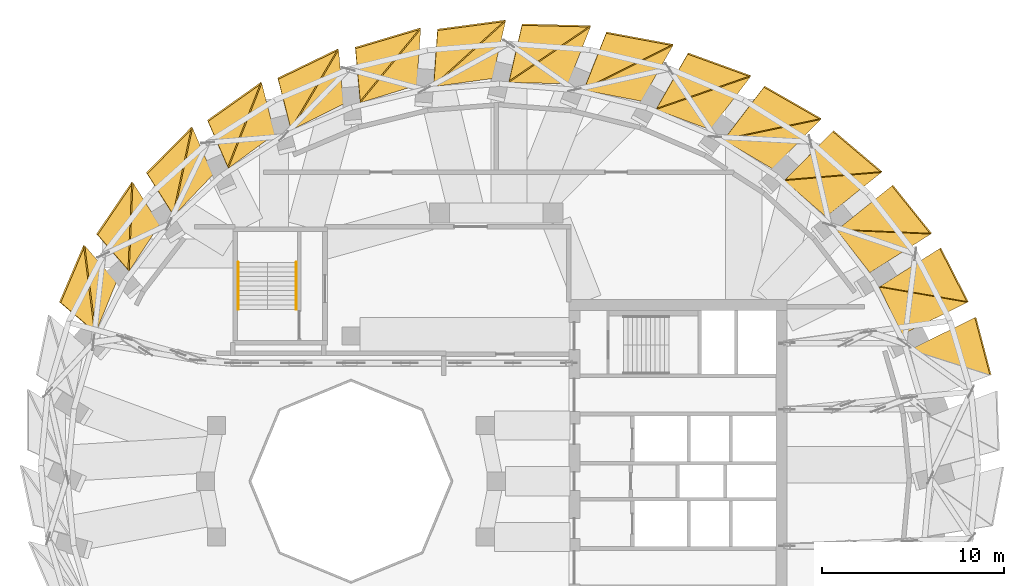
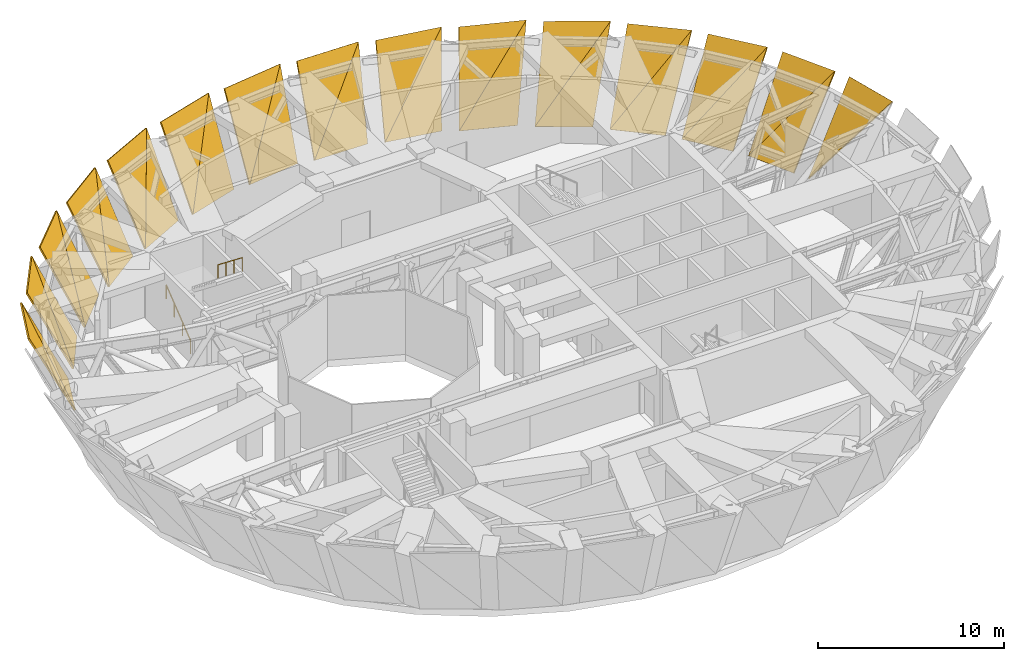
# One storey, part 16 of 16: 29 shading devices, 2 railings.
"""IFC4 building model written with IfcOpenShell, lengths in metres."""

from ifc_helpers import new_model, si_unit, direction, frame, origin, origin_2d, place, context, subcontext, project, spatial, polyline, circle, outline, extrude, material, layer, layer_set, type_object, element, save


model = new_model("IFC4")

# Units and contexts
model_context = context("Model", 3, precision=1e-05, world=origin(), true_north=direction((0.0, 1.0)))
body_context = subcontext(model_context, "Body", "Model", "MODEL_VIEW")
ifc_project = project(units=[si_unit("LENGTHUNIT", "METRE"), si_unit("AREAUNIT", "SQUARE_METRE"), si_unit("VOLUMEUNIT", "CUBIC_METRE"), si_unit("PLANEANGLEUNIT", "RADIAN"), si_unit("MASSUNIT", "GRAM", prefix="KILO")], contexts=[model_context])

# Site, building, storey
site_placement = place(None, origin())
site = spatial("IfcSite", under=ifc_project, at=site_placement, CompositionType="ELEMENT")
building_placement = place(site_placement, origin())
building = spatial("IfcBuilding", under=site, at=building_placement, Name="Taillehof Tower", CompositionType="ELEMENT")
storey_placement = place(building_placement, frame((0.0, 0.0, 184.699951171875)))
storey = spatial("IfcBuildingStorey", under=building, at=storey_placement, Name="L52", CompositionType="ELEMENT", Elevation=184.699951171875)

# Shading devices
ifc_material_1 = material(Name="Aluminium louvre blades", Category="aluminium")
ifc_layer = layer(ifc_material_1, 0.10009765625)
ifc_layer_set = layer_set([ifc_layer], Name="Louvre panel 100")
shading_device_type = type_object("IfcShadingDeviceType", Name="Louvre panel 100", PredefinedType="USERDEFINED", material=ifc_layer_set)
shading_device_1_placement = place(storey_placement, frame((22.770751953125, 7.23779296875, 0.066650390625), z_axis=(-0.720656050161, -0.18967551882, 0.666841851511), x_axis=(0.604303059445, 0.299588471186, 0.738284877454)))
element("IfcShadingDevice", 1, at=shading_device_1_placement, inside=storey, type_object=shading_device_type, Name="Louvre panel L52 bay 2b", ObjectType="LOUVER", PredefinedType="USERDEFINED", context=body_context, shape_type="SweptSolid", body=[
    extrude(outline(polyline([(0.0, 0.0), (5.905724951198721, -2.7755575615628914e-16), (5.459890934770543, -3.2499662436969516), (0.0, 0.0)])), origin(), (0.0, 0.0, -1.0), 0.10009765625),
])
shading_device_2_placement = place(storey_placement, frame((22.354736328125, 8.0751953125, 0.0673828125), z_axis=(-0.662069319877, -0.326674464978, 0.674498339219), x_axis=(-0.442482626673, 0.896777076587, 0.0)))
element("IfcShadingDevice", 2, at=shading_device_2_placement, inside=storey, type_object=shading_device_type, Name="Louvre panel L52 bay 3a", ObjectType="LOUVER", PredefinedType="USERDEFINED", context=body_context, shape_type="SweptSolid", body=[
    extrude(outline(polyline([(0.0, 0.0), (2.914353476307231, 2.220446049250313e-16), (0.007721976171706949, -5.905793049169701), (0.0, 0.0)])), origin(), (0.0, 0.0, -1.0), 0.10009765625),
])
shading_device_3_placement = place(storey_placement, frame((21.0654296875, 10.687744140625, 0.067138671875), z_axis=(-0.660635790907, -0.336894901435, 0.670866735768), x_axis=(0.567787329064, 0.360373594156, 0.740100278063)))
element("IfcShadingDevice", 3, at=shading_device_3_placement, inside=storey, type_object=shading_device_type, Name="Louvre panel L52 bay 3b", ObjectType="LOUVER", PredefinedType="USERDEFINED", context=body_context, shape_type="SweptSolid", body=[
    extrude(outline(polyline([(0.0, 0.0), (5.891238729545874, 3.3306690738754696e-16), (5.681073983979242, -3.3242046517350077), (0.0, 0.0)])), origin(), (0.0, 0.0, -1.0), 0.10009765625),
])
shading_device_4_placement = place(storey_placement, frame((20.56396484375, 11.47802734375, 0.067138671875), z_axis=(-0.585154211951, -0.455688842557, 0.67077733042), x_axis=(-0.614418440991, 0.788980341561, 0.0)))
element("IfcShadingDevice", 4, at=shading_device_4_placement, inside=storey, type_object=shading_device_type, Name="Louvre panel L52 bay 4a", ObjectType="LOUVER", PredefinedType="USERDEFINED", context=body_context, shape_type="SweptSolid", body=[
    extrude(outline(polyline([(0.0, 0.0), (2.970606333944633, 1.1102230246251565e-16), (-0.38036205813975493, -5.878858893429207), (0.0, 0.0)])), origin(), (0.0, 0.0, -1.0), 0.10009765625),
])
shading_device_5_placement = place(storey_placement, frame((18.739013671875, 13.82080078125, 0.066650390625), z_axis=(-0.58170744973, -0.466787103994, 0.666127797403), x_axis=(0.519526289751, 0.416915671269, 0.745837621275)))
element("IfcShadingDevice", 5, at=shading_device_5_placement, inside=storey, type_object=shading_device_type, Name="Louvre panel L52 bay 4b", ObjectType="LOUVER", PredefinedType="USERDEFINED", context=body_context, shape_type="SweptSolid", body=[
    extrude(outline(polyline([(0.0, 0.0), (5.845920475858367, -3.1795583960853024e-16), (5.845852937962732, -3.4082216009691635), (0.0, 0.0)])), origin(), (0.0, 0.0, -1.0), 0.10009765625),
])
shading_device_6_placement = place(storey_placement, frame((18.1533203125, 14.5517578125, 0.066162109375), z_axis=(-0.492747400714, -0.566906910325, 0.660164035763), x_axis=(-0.754747323053, 0.656015608308, 0.0)))
element("IfcShadingDevice", 6, at=shading_device_6_placement, inside=storey, type_object=shading_device_type, Name="Louvre panel L52 bay 5a", ObjectType="LOUVER", PredefinedType="USERDEFINED", context=body_context, shape_type="SweptSolid", body=[
    extrude(outline(polyline([(0.0, 0.0), (3.0390318743969464, 1.1102230246251565e-16), (-0.6933722854113863, -5.804471740372767), (0.0, 0.0)])), origin(), (0.0, 0.0, -1.0), 0.10009765625),
])
shading_device_7_placement = place(storey_placement, frame((15.860107421875, 16.54443359375, 0.0654296875), z_axis=(-0.487632377658, -0.577304018133, 0.654931091724), x_axis=(0.459980660213, 0.467714623905, 0.754758784523)))
element("IfcShadingDevice", 7, at=shading_device_7_placement, inside=storey, type_object=shading_device_type, Name="Louvre panel L52 bay 5b", ObjectType="LOUVER", PredefinedType="USERDEFINED", context=body_context, shape_type="SweptSolid", body=[
    extrude(outline(polyline([(0.0, 0.0), (5.776822358720805, -7.494005416219807e-16), (5.950378984422951, -3.4954043883041273), (0.0, 0.0)])), origin(), (0.0, 0.0, -1.0), 0.10009765625),
])
shading_device_8_placement = place(storey_placement, frame((15.19287109375, 17.202392578125, 0.064453125), z_axis=(-0.387583570481, -0.659018123016, 0.644572796067), x_axis=(-0.861976596189, 0.506948071919, 0.0)))
element("IfcShadingDevice", 8, at=shading_device_8_placement, inside=storey, type_object=shading_device_type, Name="Louvre panel L52 bay 6a", ObjectType="LOUVER", PredefinedType="USERDEFINED", context=body_context, shape_type="SweptSolid", body=[
    extrude(outline(polyline([(0.0, 0.0), (3.109620300278377, 0.0), (-0.9205314903332179, -5.702894083289527), (0.0, 0.0)])), origin(), (0.0, 0.0, -1.0), 0.10009765625),
])
shading_device_9_placement = place(storey_placement, frame((12.512939453125, 18.778076171875, 0.06396484375), z_axis=(-0.381671547984, -0.667350402424, 0.639507834075), x_axis=(0.389976988736, 0.511019120523, 0.766013972925)))
element("IfcShadingDevice", 9, at=shading_device_9_placement, inside=storey, type_object=shading_device_type, Name="Louvre panel L52 bay 6b", ObjectType="LOUVER", PredefinedType="USERDEFINED", context=body_context, shape_type="SweptSolid", body=[
    extrude(outline(polyline([(0.0, 0.0), (5.691942413565876, 4.996003610813204e-16), (5.9966085431660545, -3.5788848226380816), (0.0, 0.0)])), origin(), (0.0, 0.0, -1.0), 0.10009765625),
])
shading_device_10_placement = place(storey_placement, frame((11.768798828125, 19.34814453125, 0.062744140625), z_axis=(-0.27208986511, -0.730772779942, 0.626049717994), x_axis=(-0.937148726804, 0.348930170448, 0.0)))
element("IfcShadingDevice", 10, at=shading_device_10_placement, inside=storey, type_object=shading_device_type, Name="Louvre panel L52 bay 7a", ObjectType="LOUVER", PredefinedType="USERDEFINED", context=body_context, shape_type="SweptSolid", body=[
    extrude(outline(polyline([(0.0, 0.0), (3.1730639197898958, 0.0), (-1.0650549376611147, -5.591122761016827), (0.0, 0.0)])), origin(), (0.0, 0.0, -1.0), 0.10009765625),
])
shading_device_11_placement = place(storey_placement, frame((8.795654296875, 20.454833984375, 0.062255859375), z_axis=(-0.266734166082, -0.73626543872, 0.621905208525), x_axis=(0.310858902994, 0.545071248981, 0.778629614106)))
element("IfcShadingDevice", 11, at=shading_device_11_placement, inside=storey, type_object=shading_device_type, Name="Louvre panel L52 bay 7b", ObjectType="LOUVER", PredefinedType="USERDEFINED", context=body_context, shape_type="SweptSolid", body=[
    extrude(outline(polyline([(0.0, 0.0), (5.59971948521385, 3.3306690738754696e-16), (5.991188171423115, -3.651040724552313), (0.0, 0.0)])), origin(), (0.0, 0.0, -1.0), 0.10009765625),
])
shading_device_12_placement = place(storey_placement, frame((7.982177734375, 20.9208984375, 0.060791015625), z_axis=(-0.148722226183, -0.781213509011, 0.606289660787), x_axis=(-0.982357132452, 0.187014609911, 0.0)))
element("IfcShadingDevice", 12, at=shading_device_12_placement, inside=storey, type_object=shading_device_type, Name="Louvre panel L52 bay 8a", ObjectType="LOUVER", PredefinedType="USERDEFINED", context=body_context, shape_type="SweptSolid", body=[
    extrude(outline(polyline([(0.0, 0.0), (3.221882305266482, 5.551115123125783e-17), (-1.1391967044119022, -5.482422847851421), (0.0, 0.0)])), origin(), (0.0, 0.0, -1.0), 0.10009765625),
])
shading_device_13_placement = place(storey_placement, frame((4.8173828125, 21.523193359375, 0.060546875), z_axis=(-0.145404393211, -0.783660836583, 0.60393149913), x_axis=(0.224635929102, 0.568327127652, 0.791544676775)))
element("IfcShadingDevice", 13, at=shading_device_13_placement, inside=storey, type_object=shading_device_type, Name="Louvre panel L52 bay 8b", ObjectType="LOUVER", PredefinedType="USERDEFINED", context=body_context, shape_type="SweptSolid", body=[
    extrude(outline(polyline([(0.0, 0.0), (5.508044471996124, -1.1102230246251565e-16), (5.945271874043725, -3.7053627022202935), (0.0, 0.0)])), origin(), (0.0, 0.0, -1.0), 0.10009765625),
])
shading_device_14_placement = place(storey_placement, frame((3.946533203125, 21.869873046875, 0.058837890625), z_axis=(-0.019884421521, -0.809484462634, 0.586804494304), x_axis=(-0.99969843398, 0.024556895126, 0.0)))
element("IfcShadingDevice", 14, at=shading_device_14_placement, inside=storey, type_object=shading_device_type, Name="Louvre panel L52 bay 9a", ObjectType="LOUVER", PredefinedType="USERDEFINED", context=body_context, shape_type="SweptSolid", body=[
    extrude(outline(polyline([(0.0, 0.0), (3.2509803852163097, 0.0), (-1.1598212921316415, -5.384351023180452), (0.0, 0.0)])), origin(), (0.0, 0.0, -1.0), 0.10009765625),
])
shading_device_15_placement = place(storey_placement, frame((0.696533203125, 21.94970703125, 0.05859375), z_axis=(-0.019701342764, -0.809593845318, 0.586659750381), x_axis=(0.133666884979, 0.579373237722, 0.804027247842)))
element("IfcShadingDevice", 15, at=shading_device_15_placement, inside=storey, type_object=shading_device_type, Name="Louvre panel L52 bay 9b", ObjectType="LOUVER", PredefinedType="USERDEFINED", context=body_context, shape_type="SweptSolid", body=[
    extrude(outline(polyline([(0.0, 0.0), (5.422835399645503, -5.551115123125783e-17), (5.872674690022025, -3.7363388847897645), (0.0, 0.0)])), origin(), (0.0, 0.0, -1.0), 0.10009765625),
])
shading_device_16_placement = place(storey_placement, frame((-0.216064453125, 22.162841796875, 0.056884765625), z_axis=(0.112131630376, -0.814942360404, 0.568590755015), x_axis=(-0.990666194785, -0.136310272944, 0.0)))
element("IfcShadingDevice", 16, at=shading_device_16_placement, inside=storey, type_object=shading_device_type, Name="Louvre panel L52 bay 10a", ObjectType="LOUVER", PredefinedType="USERDEFINED", context=body_context, shape_type="SweptSolid", body=[
    extrude(outline(polyline([(0.0, 0.0), (3.2579481156112733, -5.551115123125783e-17), (-1.1465955813043907, -5.300265685469643), (0.0, 0.0)])), origin(), (0.0, 0.0, -1.0), 0.10009765625),
])
shading_device_17_placement = place(storey_placement, frame((-3.444091796875, 21.718994140625, 0.05712890625), z_axis=(0.108428095246, -0.81376962205, 0.57098366911), x_axis=(0.041178831935, 0.577553661657, 0.815313480636)))
element("IfcShadingDevice", 17, at=shading_device_17_placement, inside=storey, type_object=shading_device_type, Name="Louvre panel L52 bay 10b", ObjectType="LOUVER", PredefinedType="USERDEFINED", context=body_context, shape_type="SweptSolid", body=[
    extrude(outline(polyline([(0.0, 0.0), (5.347768098317719, -5.551115123125783e-17), (5.78869065481748, -3.739502910472895), (0.0, 0.0)])), origin(), (0.0, 0.0, -1.0), 0.10009765625),
])
shading_device_18_placement = place(storey_placement, frame((-4.3779296875, 21.7880859375, 0.05517578125), z_axis=(0.245062219184, -0.796891616943, 0.552184986734), x_axis=(-0.955824579074, -0.293937704349, 0.0)))
element("IfcShadingDevice", 18, at=shading_device_18_placement, inside=storey, type_object=shading_device_type, Name="Louvre panel L52 bay 11a", ObjectType="LOUVER", PredefinedType="USERDEFINED", context=body_context, shape_type="SweptSolid", body=[
    extrude(outline(polyline([(0.0, 0.0), (3.242608845000797, -1.1102230246251565e-16), (-1.1181879348545651, -5.229692159667012), (0.0, 0.0)])), origin(), (0.0, 0.0, -1.0), 0.10009765625),
])
shading_device_19_placement = place(storey_placement, frame((-7.47802734375, 20.835205078125, 0.0556640625), z_axis=(0.237128162204, -0.795813608165, 0.557181241383), x_axis=(-0.049895763413, 0.562805731382, 0.825081887765)))
element("IfcShadingDevice", 19, at=shading_device_19_placement, inside=storey, type_object=shading_device_type, Name="Louvre panel L52 bay 11b", ObjectType="LOUVER", PredefinedType="USERDEFINED", context=body_context, shape_type="SweptSolid", body=[
    extrude(outline(polyline([(0.0, 0.0), (5.284454169376831, -1.1102230246251565e-16), (5.706543827455295, -3.714782983704191), (0.0, 0.0)])), origin(), (0.0, 0.0, -1.0), 0.10009765625),
])
shading_device_20_placement = place(storey_placement, frame((-8.410400390625, 20.75537109375, 0.0537109375), z_axis=(0.376348006372, -0.754621394767, 0.537502305725), x_axis=(-0.894883375525, -0.446300060731, 0.0)))
element("IfcShadingDevice", 20, at=shading_device_20_placement, inside=storey, type_object=shading_device_type, Name="Louvre panel L52 bay 12a", ObjectType="LOUVER", PredefinedType="USERDEFINED", context=body_context, shape_type="SweptSolid", body=[
    extrude(outline(polyline([(0.0, 0.0), (3.207798409558774, 0.0), (-1.091394847231974, -5.1705234895201535), (0.0, 0.0)])), origin(), (0.0, 0.0, -1.0), 0.10009765625),
])
shading_device_21_placement = place(storey_placement, frame((-11.2822265625, 19.32373046875, 0.054443359375), z_axis=(0.36493969943, -0.755034250328, 0.54474057735), x_axis=(-0.136229873143, 0.535492142664, 0.833480405773)))
element("IfcShadingDevice", 21, at=shading_device_21_placement, inside=storey, type_object=shading_device_type, Name="Louvre panel L52 bay 12b", ObjectType="LOUVER", PredefinedType="USERDEFINED", context=body_context, shape_type="SweptSolid", body=[
    extrude(outline(polyline([(0.0, 0.0), (5.231205666831606, -1.1102230246251565e-16), (5.638172653274863, -3.6644760808031234), (0.0, 0.0)])), origin(), (0.0, 0.0, -1.0), 0.10009765625),
])
shading_device_22_placement = place(storey_placement, frame((-12.189208984375, 19.09619140625, 0.052490234375), z_axis=(0.503237190839, -0.687268062015, 0.523846294909), x_axis=(-0.806829922991, -0.590783780554, 0.0)))
element("IfcShadingDevice", 22, at=shading_device_22_placement, inside=storey, type_object=shading_device_type, Name="Louvre panel L52 bay 13a", ObjectType="LOUVER", PredefinedType="USERDEFINED", context=body_context, shape_type="SweptSolid", body=[
    extrude(outline(polyline([(0.0, 0.0), (3.1584597585348027, 1.1102230246251565e-16), (-1.0803013101974615, -5.118334969837428), (0.0, 0.0)])), origin(), (0.0, 0.0, -1.0), 0.10009765625),
])
shading_device_23_placement = place(storey_placement, frame((-14.739013671875, 17.22998046875, 0.05322265625), z_axis=(0.489392774244, -0.690302589467, 0.532894968538), x_axis=(-0.214887121361, 0.496773448176, 0.840856507533)))
element("IfcShadingDevice", 23, at=shading_device_23_placement, inside=storey, type_object=shading_device_type, Name="Louvre panel L52 bay 13b", ObjectType="LOUVER", PredefinedType="USERDEFINED", context=body_context, shape_type="SweptSolid", body=[
    extrude(outline(polyline([(0.0, 0.0), (5.185316855866097, -2.7755575615628914e-16), (5.590385741609165, -3.5936283086000125), (0.0, 0.0)])), origin(), (0.0, 0.0, -1.0), 0.10009765625),
])
shading_device_24_placement = place(storey_placement, frame((-15.59765625, 16.8623046875, 0.051025390625), z_axis=(0.621922605659, -0.5942289371, 0.510004159672), x_axis=(-0.69082576771, -0.723021271242, 0.0)))
element("IfcShadingDevice", 24, at=shading_device_24_placement, inside=storey, type_object=shading_device_type, Name="Louvre panel L52 bay 14a", ObjectType="LOUVER", PredefinedType="USERDEFINED", context=body_context, shape_type="SweptSolid", body=[
    extrude(outline(polyline([(0.0, 0.0), (3.1014739535589597, 0.0), (-1.0926925363871816, -5.068878960544709), (0.0, 0.0)])), origin(), (0.0, 0.0, -1.0), 0.10009765625),
])
shading_device_25_placement = place(storey_placement, frame((-17.74169921875, 14.619140625, 0.052001953125), z_axis=(0.60750377274, -0.600310890337, 0.520159591904), x_axis=(-0.283462148306, 0.447889186763, 0.847964908978)))
element("IfcShadingDevice", 25, at=shading_device_25_placement, inside=storey, type_object=shading_device_type, Name="Louvre panel L52 bay 14b", ObjectType="LOUVER", PredefinedType="USERDEFINED", context=body_context, shape_type="SweptSolid", body=[
    extrude(outline(polyline([(0.0, 0.0), (5.141848885147735, -5.551115123125783e-17), (5.563928618142788, -3.511355517231893), (0.0, 0.0)])), origin(), (0.0, 0.0, -1.0), 0.10009765625),
])
shading_device_26_placement = place(storey_placement, frame((-18.532470703125, 14.12353515625, 0.049560546875), z_axis=(0.727747687937, -0.475341994524, 0.494401952812), x_axis=(-0.546851964997, -0.837229316483, 0.0)))
element("IfcShadingDevice", 26, at=shading_device_26_placement, inside=storey, type_object=shading_device_type, Name="Louvre panel L52 bay 15a", ObjectType="LOUVER", PredefinedType="USERDEFINED", context=body_context, shape_type="SweptSolid", body=[
    extrude(outline(polyline([(0.0, 0.0), (3.0461104485249018, 0.0), (-1.131278110514001, -5.015756718193419), (0.0, 0.0)])), origin(), (0.0, 0.0, -1.0), 0.10009765625),
])
shading_device_27_placement = place(storey_placement, frame((-20.199462890625, 11.572509765625, 0.050537109375), z_axis=(0.714674042484, -0.484169417831, 0.504797967346), x_axis=(-0.339715150636, 0.390593375142, 0.855587769737)))
element("IfcShadingDevice", 27, at=shading_device_27_placement, inside=storey, type_object=shading_device_type, Name="Louvre panel L52 bay 15b", ObjectType="LOUVER", PredefinedType="USERDEFINED", context=body_context, shape_type="SweptSolid", body=[
    extrude(outline(polyline([(0.0, 0.0), (5.096037573346132, -4.996003610813204e-16), (5.555363930833248, -3.4272556518757584), (0.0, 0.0)])), origin(), (0.0, 0.0, -1.0), 0.10009765625),
])
shading_device_28_placement = place(storey_placement, frame((-20.90625, 10.96435546875, 0.047607421875), z_axis=(0.814882900845, -0.331981375085, 0.475136006326), x_axis=(-0.377289133702, -0.92609551861, 0.0)))
element("IfcShadingDevice", 28, at=shading_device_28_placement, inside=storey, type_object=shading_device_type, Name="Louvre panel L52 bay 16a", ObjectType="LOUVER", PredefinedType="USERDEFINED", context=body_context, shape_type="SweptSolid", body=[
    extrude(outline(polyline([(0.0, 0.0), (3.0005636977052093, 0.0), (-1.1902098428100143, -4.954883508210486), (0.0, 0.0)])), origin(), (0.0, 0.0, -1.0), 0.10009765625),
])
shading_device_29_placement = place(storey_placement, frame((-22.039306640625, 8.1845703125, 0.048583984375), z_axis=(0.804798179225, -0.342224910093, 0.484955669755), x_axis=(-0.381995262156, 0.326712206855, 0.864487567049)))
element("IfcShadingDevice", 29, at=shading_device_29_placement, inside=storey, type_object=shading_device_type, Name="Louvre panel L52 bay 16b", ObjectType="LOUVER", PredefinedType="USERDEFINED", context=body_context, shape_type="SweptSolid", body=[
    extrude(outline(polyline([(0.0, 0.0), (5.043292058129515, 0.0), (5.556093336572696, -3.353100100371484), (0.0, 0.0)])), origin(), (0.0, 0.0, -1.0), 0.10009765625),
])

# Railings
ifc_material_2 = material(Name="Stainless steel", Category="steel")
railing_type = type_object("IfcRailingType", Name="Stair handrail 900", PredefinedType="HANDRAIL", material=ifc_material_2)
railing_1_placement = place(storey_placement, frame((-14.199951171875, 9.449951171875, 0.20458984375)))
element("IfcRailing", 30, at=railing_1_placement, inside=storey, type_object=railing_type, Name="Stair S3 handrail", PredefinedType="HANDRAIL", context=body_context, shape_type="SweptSolid", body=[
    extrude(circle(Radius=0.02392578125, at=origin_2d()), frame((0.0, 0.0, 0.8759765625), z_axis=(0.0, 0.785954564337, 0.618284257278), x_axis=(-1.0, 0.0, 0.0)), (0.0, 0.0, 1.0), 3.30810546875),
    extrude(circle(Radius=0.02099609375, at=origin_2d()), origin(), (0.0, 0.0, 1.0), 0.851806640625),
    extrude(circle(Radius=0.02099609375, at=origin_2d()), frame((0.0, 0.86669921875, 0.681884765625)), (0.0, 0.0, 1.0), 0.851806640625),
    extrude(circle(Radius=0.02099609375, at=origin_2d()), frame((0.0, 1.7333984375, 1.363525390625)), (0.0, 0.0, 1.0), 0.851806640625),
    extrude(circle(Radius=0.02099609375, at=origin_2d()), frame((0.0, 2.60009765625, 2.04541015625)), (0.0, 0.0, 1.0), 0.851806640625),
])
railing_2_placement = place(storey_placement, frame((-11.0, 12.050048828125, 2.45458984375)))
element("IfcRailing", 31, at=railing_2_placement, inside=storey, type_object=railing_type, Name="Stair S3 handrail", PredefinedType="HANDRAIL", context=body_context, shape_type="SweptSolid", body=[
    extrude(circle(Radius=0.02392578125, at=origin_2d()), frame((0.0, 0.0, 0.8759765625), z_axis=(0.0, -0.785954564337, 0.618284257278), x_axis=(1.0, 0.0, 0.0)), (0.0, 0.0, 1.0), 3.30810546875),
    extrude(circle(Radius=0.02099609375, at=origin_2d()), origin(), (0.0, 0.0, 1.0), 0.851806640625),
    extrude(circle(Radius=0.02099609375, at=origin_2d()), frame((0.0, -0.86669921875, 0.681884765625)), (0.0, 0.0, 1.0), 0.851806640625),
    extrude(circle(Radius=0.02099609375, at=origin_2d()), frame((0.0, -1.7333984375, 1.363525390625)), (0.0, 0.0, 1.0), 0.851806640625),
    extrude(circle(Radius=0.02099609375, at=origin_2d()), frame((0.0, -2.60009765625, 2.04541015625)), (0.0, 0.0, 1.0), 0.851806640625),
])

save(model, "model.ifc")
